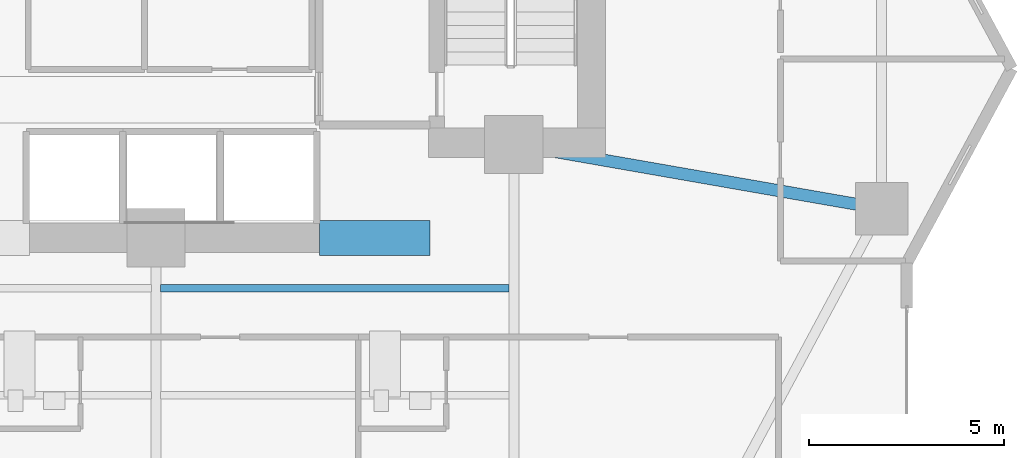
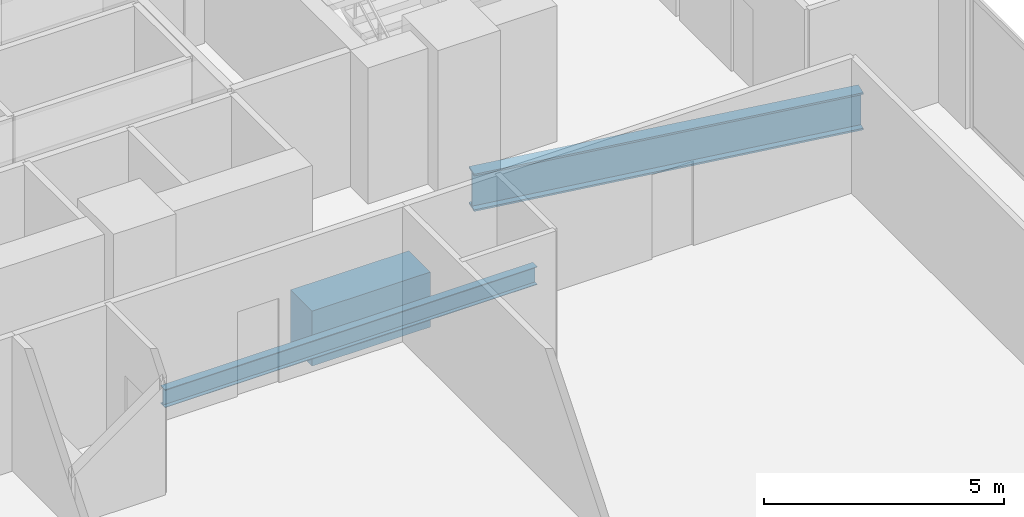
# One storey, part 12 of 28: 3 beams.
"""IFC4 building model written with IfcOpenShell, lengths in metres."""

from ifc_helpers import new_model, si_unit, direction, frame, origin, origin_2d, place, context, subcontext, project, spatial, rectangle, i_section, extrude, material, material_profile, profile_set, type_object, element, save


model = new_model("IFC4")

# Units and contexts
model_context = context("Model", 3, precision=1e-05, world=origin(), true_north=direction((0.0, 1.0)))
body_context = subcontext(model_context, "Body", "Model", "MODEL_VIEW")
ifc_project = project(units=[si_unit("LENGTHUNIT", "METRE"), si_unit("AREAUNIT", "SQUARE_METRE"), si_unit("VOLUMEUNIT", "CUBIC_METRE"), si_unit("PLANEANGLEUNIT", "RADIAN"), si_unit("MASSUNIT", "GRAM", prefix="KILO")], contexts=[model_context])

# Site, building, storey
site_placement = place(None, origin())
site = spatial("IfcSite", under=ifc_project, at=site_placement, CompositionType="ELEMENT")
building_placement = place(site_placement, origin())
building = spatial("IfcBuilding", under=site, at=building_placement, Name="Zuhayl Quay Hotel", CompositionType="ELEMENT")
storey_placement = place(building_placement, frame((0.0, 0.0, 121.199951171875)))
storey = spatial("IfcBuildingStorey", under=building, at=storey_placement, Name="L30", CompositionType="ELEMENT", Elevation=121.199951171875)

# Beams
ifc_material_1 = material(Name="Concrete C60/75", Category="concrete")
ifc_material_profile_1 = material_profile(ifc_material_1, rectangle(XDim=0.89990234375, YDim=1.39990234375, at=origin_2d()), Name="RC900X1400")
ifc_profile_set_1 = profile_set([ifc_material_profile_1], Name="Concrete C60/75")
beam_type_1 = type_object("IfcBeamType", Name="BM_CB1_RC900", PredefinedType="T_BEAM", material=ifc_profile_set_1)
beam_1_placement = place(storey_placement, frame((8.800048828125, 2.14990234375, -0.919921875), z_axis=(1.0, 0.0, 0.0), x_axis=(0.0, 1.0, 0.0)))
element("IfcBeam", 1, at=beam_1_placement, inside=storey, type_object=beam_type_1, Name="L30 Core Coupling Beam SE", PredefinedType="T_BEAM", context=body_context, shape_type="SweptSolid", body=[
    extrude(rectangle(XDim=0.89990234375, YDim=1.39990234375, at=origin_2d()), origin(), (0.0, 0.0, 1.0), 2.849853515625),
])
ifc_material_2 = material(Name="Steel ASTM A992 Grade 50", Category="steel")
ifc_material_profile_2 = material_profile(ifc_material_2, i_section(OverallWidth=0.18994140625, OverallDepth=0.45703125, WebThickness=0.009033203125, FlangeThickness=0.014404296875, at=origin_2d()), Name="W18X50")
ifc_profile_set_2 = profile_set([ifc_material_profile_2], Name="Steel ASTM A992 Grade 50")
beam_type_2 = type_object("IfcBeamType", Name="BM_J2_W18X50", PredefinedType="JOIST", material=ifc_profile_set_2)
beam_2_placement = place(storey_placement, frame((4.718994140625, 0.85009765625, -0.448486328125), z_axis=(1.0, 0.0, 0.0), x_axis=(0.0, 1.0, 0.0)))
element("IfcBeam", 2, at=beam_2_placement, inside=storey, type_object=beam_type_2, Name="L30 Floor Beam FJ_L30_9_3", PredefinedType="JOIST", context=body_context, shape_type="SweptSolid", body=[
    extrude(i_section(OverallWidth=0.18994140625, OverallDepth=0.45703125, WebThickness=0.009033203125, FlangeThickness=0.014404296875, at=origin_2d()), origin(), (0.0, 0.0, 1.0), 8.9619140625),
])
ifc_material_profile_3 = material_profile(ifc_material_2, i_section(OverallWidth=0.31005859375, OverallDepth=0.949951171875, WebThickness=0.0244140625, FlangeThickness=0.0439453125, at=origin_2d()), Name="W36X256")
ifc_profile_set_3 = profile_set([ifc_material_profile_3], Name="Steel ASTM A992 Grade 50")
beam_type_3 = type_object("IfcBeamType", Name="BM_PG1_W36X256", PredefinedType="BEAM", material=ifc_profile_set_3)
beam_3_placement = place(storey_placement, frame((14.243408203125, 4.47265625, -0.695068359375), z_axis=(0.985097302632, -0.171997977741, 0.0), x_axis=(0.171997977741, 0.985097302632, 0.0)))
element("IfcBeam", 3, at=beam_3_placement, inside=storey, type_object=beam_type_3, Name="L30 Floor Beam FG_E_L30_1", PredefinedType="BEAM", context=body_context, shape_type="SweptSolid", body=[
    extrude(i_section(OverallWidth=0.31005859375, OverallDepth=0.949951171875, WebThickness=0.0244140625, FlangeThickness=0.0439453125, at=origin_2d()), origin(), (0.0, 0.0, 1.0), 8.64306640625),
])

save(model, "model.ifc")
